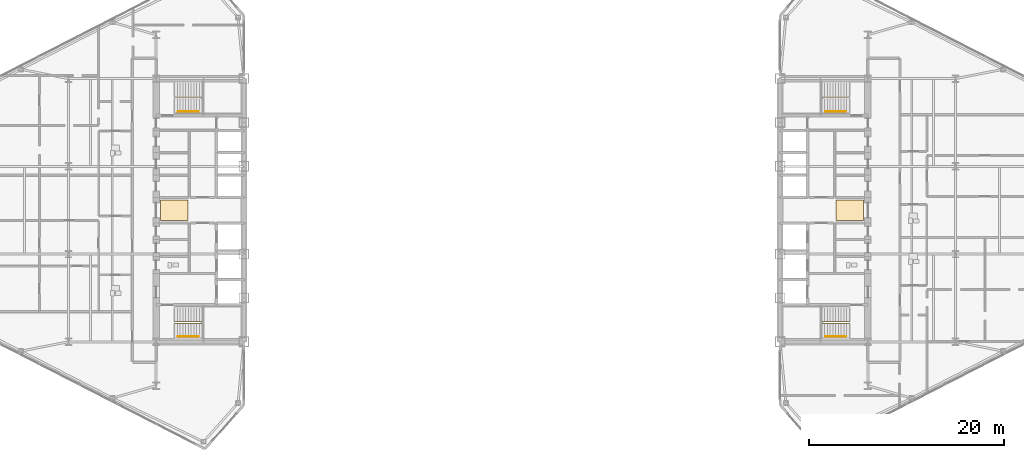
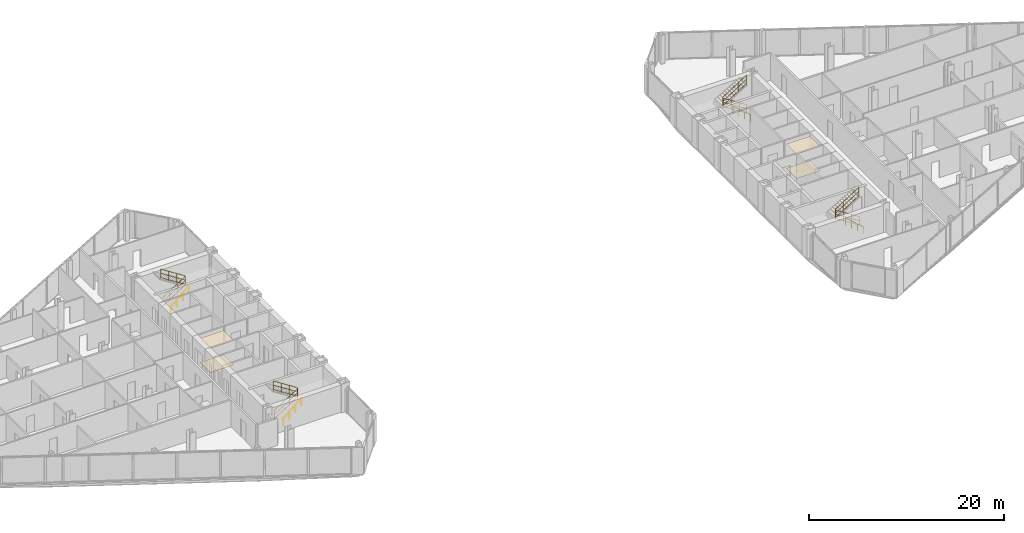
# One storey, part 23 of 24: 8 railings, 4 coverings.
"""IFC4 building model written with IfcOpenShell, lengths in metres."""

from ifc_helpers import new_model, si_unit, direction, frame, origin, origin_2d, place, context, subcontext, project, spatial, polyline, circle, outline, extrude, material, layer, layer_set, type_object, element, save


model = new_model("IFC4")

# Units and contexts
model_context = context("Model", 3, precision=1e-05, world=origin(), true_north=direction((0.0, 1.0)))
body_context = subcontext(model_context, "Body", "Model", "MODEL_VIEW")
ifc_project = project(units=[si_unit("LENGTHUNIT", "METRE"), si_unit("AREAUNIT", "SQUARE_METRE"), si_unit("VOLUMEUNIT", "CUBIC_METRE"), si_unit("PLANEANGLEUNIT", "RADIAN"), si_unit("MASSUNIT", "GRAM", prefix="KILO")], contexts=[model_context])

# Site, building, storey
site_placement = place(None, origin())
site = spatial("IfcSite", under=ifc_project, at=site_placement, CompositionType="ELEMENT")
building_placement = place(site_placement, origin())
building = spatial("IfcBuilding", under=site, at=building_placement, Name="Seokmaru Belvedere", CompositionType="ELEMENT")
storey_placement = place(building_placement, frame((0.0, 0.0, 121.199951171875)))
storey = spatial("IfcBuildingStorey", under=building, at=storey_placement, Name="L32", CompositionType="ELEMENT", Elevation=121.199951171875)

# Coverings
ifc_material_1 = material(Name="Engineered White Oak Timber", Category="wood")
ifc_layer_1 = layer(ifc_material_1, 0.02197265625)
ifc_layer_set_1 = layer_set([ifc_layer_1], Name="Engineered White Oak Timber")
covering_type_1 = type_object("IfcCoveringType", Name="Engineered Oak Residence Floor Finish 22", PredefinedType="FLOORING", material=ifc_layer_set_1)
covering_1_placement = place(storey_placement, origin())
element("IfcCovering", 1, at=covering_1_placement, inside=storey, type_object=covering_type_1, Name="L32 W Foyer Floor Finish", PredefinedType="FLOORING", context=body_context, shape_type="SweptSolid", body=[
    extrude(outline(polyline([(-36.050048828125, -1.050048828125), (-33.25, -1.050048828125), (-33.25, 1.050048828125), (-36.050048828125, 1.050048828125), (-36.050048828125, -1.050048828125)])), origin(), (0.0, 0.0, 1.0), 0.02197265625),
])
covering_2_placement = place(storey_placement, origin())
element("IfcCovering", 2, at=covering_2_placement, inside=storey, type_object=covering_type_1, Name="L32 E Foyer Floor Finish", PredefinedType="FLOORING", context=body_context, shape_type="SweptSolid", body=[
    extrude(outline(polyline([(33.25, -1.050048828125), (36.050048828125, -1.050048828125), (36.050048828125, 1.050048828125), (33.25, 1.050048828125), (33.25, -1.050048828125)])), origin(), (0.0, 0.0, 1.0), 0.02197265625),
])
ifc_material_2 = material(Name="Fire-Rated Gypsum Shaftwall")
ifc_layer_2 = layer(ifc_material_2, 0.02490234375)
ifc_layer_set_2 = layer_set([ifc_layer_2], Name="Fire-Rated Gypsum Shaftwall")
covering_type_2 = type_object("IfcCoveringType", Name="Perforated Acoustic Gypsum Suspended Ceiling 25", PredefinedType="CEILING", material=ifc_layer_set_2)
covering_3_placement = place(storey_placement, frame((0.0, 0.0, 3.030029296875)))
element("IfcCovering", 3, at=covering_3_placement, inside=storey, type_object=covering_type_2, Name="L32 W Lift Foyer Acoustic Ceiling", PredefinedType="CEILING", context=body_context, shape_type="SweptSolid", body=[
    extrude(outline(polyline([(-36.050048828125, -1.050048828125), (-33.25, -1.050048828125), (-33.25, 1.050048828125), (-36.050048828125, 1.050048828125), (-36.050048828125, -1.050048828125)])), origin(), (0.0, 0.0, 1.0), 0.02490234375),
])
covering_4_placement = place(storey_placement, frame((0.0, 0.0, 3.030029296875)))
element("IfcCovering", 4, at=covering_4_placement, inside=storey, type_object=covering_type_2, Name="L32 E Lift Foyer Acoustic Ceiling", PredefinedType="CEILING", context=body_context, shape_type="SweptSolid", body=[
    extrude(outline(polyline([(33.25, -1.050048828125), (36.050048828125, -1.050048828125), (36.050048828125, 1.050048828125), (33.25, 1.050048828125), (33.25, -1.050048828125)])), origin(), (0.0, 0.0, 1.0), 0.02490234375),
])

# Railings
ifc_material_3 = material(Name="Stainless Steel 316", Category="steel")
railing_type_1 = type_object("IfcRailingType", Name="Stainless Steel Wall and Flight Handrail 900", PredefinedType="HANDRAIL", material=ifc_material_3)
for number, where, name in (
    (5, (-34.25, -12.949951171875, 0.0), "L32 Stair ST-W1 Wall Handrail"),
    (6, (-34.25, 10.110107421875, 0.0), "L32 Stair ST-W2 Wall Handrail"),
):
    element("IfcRailing", number, at=place(storey_placement, frame(where)), inside=storey, type_object=railing_type_1, Name=name, PredefinedType="HANDRAIL", context=body_context, shape_type="SweptSolid", body=[
        extrude(circle(Radius=0.02392578125, at=origin_2d()), frame((0.0, 0.0, 0.8759765625), z_axis=(0.759262832861, 0.0, 0.650784104474), x_axis=(0.0, 1.0, 0.0)), (0.0, 0.0, 1.0), 2.765869140625),
        extrude(circle(Radius=0.02099609375, at=origin_2d()), origin(), (0.0, 0.0, 1.0), 0.851806640625),
        extrude(circle(Radius=0.02099609375, at=origin_2d()), frame((0.699951171875, 0.0, 0.60009765625)), (0.0, 0.0, 1.0), 0.851806640625),
        extrude(circle(Radius=0.02099609375, at=origin_2d()), frame((1.400146484375, 0.0, 1.199951171875)), (0.0, 0.0, 1.0), 0.851806640625),
        extrude(circle(Radius=0.02099609375, at=origin_2d()), frame((2.10009765625, 0.0, 1.800048828125)), (0.0, 0.0, 1.0), 0.851806640625),
    ])
for number, where, name in (
    (7, (34.25, -12.949951171875, 0.0), "L32 Stair ST-E1 Wall Handrail"),
    (8, (34.25, 10.110107421875, 0.0), "L32 Stair ST-E2 Wall Handrail"),
):
    element("IfcRailing", number, at=place(storey_placement, frame(where)), inside=storey, type_object=railing_type_1, Name=name, PredefinedType="HANDRAIL", context=body_context, shape_type="SweptSolid", body=[
        extrude(circle(Radius=0.02392578125, at=origin_2d()), frame((0.0, 0.0, 0.8759765625), z_axis=(-0.759262832861, 0.0, 0.650784104474), x_axis=(0.0, -1.0, 0.0)), (0.0, 0.0, 1.0), 2.765869140625),
        extrude(circle(Radius=0.02099609375, at=origin_2d()), origin(), (0.0, 0.0, 1.0), 0.851806640625),
        extrude(circle(Radius=0.02099609375, at=origin_2d()), frame((-0.699951171875, 0.0, 0.60009765625)), (0.0, 0.0, 1.0), 0.851806640625),
        extrude(circle(Radius=0.02099609375, at=origin_2d()), frame((-1.400146484375, 0.0, 1.199951171875)), (0.0, 0.0, 1.0), 0.851806640625),
        extrude(circle(Radius=0.02099609375, at=origin_2d()), frame((-2.10009765625, 0.0, 1.800048828125)), (0.0, 0.0, 1.0), 0.851806640625),
    ])
railing_type_2 = type_object("IfcRailingType", Name="Stair Well and Atrium Steel Guardrail 1200", PredefinedType="GUARDRAIL", material=ifc_material_3)
railing_1_placement = place(storey_placement, frame((-34.60009765625, -11.60009765625, 0.0)))
element("IfcRailing", 9, at=railing_1_placement, inside=storey, type_object=railing_type_2, Name="L32 Stair ST-W1 Inner Well Guardrail", PredefinedType="GUARDRAIL", context=body_context, shape_type="SweptSolid", body=[
    extrude(circle(Radius=0.02392578125, at=origin_2d()), frame((0.0, 0.0, 1.17578125), z_axis=(0.841176092368, 0.0, 0.540761298198), x_axis=(0.0, 1.0, 0.0)), (0.0, 0.0, 1.0), 3.32861328125),
    extrude(circle(Radius=0.02392578125, at=origin_2d()), frame((0.0, 0.0, 0.1201171875), z_axis=(0.841176092368, 0.0, 0.540761298198), x_axis=(0.0, 1.0, 0.0)), (0.0, 0.0, 1.0), 3.32861328125),
    extrude(circle(Radius=0.02392578125, at=origin_2d()), frame((0.0, 0.0, 0.659912109375), z_axis=(0.841176092368, 0.0, 0.540761298198), x_axis=(0.0, 1.0, 0.0)), (0.0, 0.0, 1.0), 3.32861328125),
    extrude(circle(Radius=0.02392578125, at=origin_2d()), frame((2.800048828125, 0.0, 2.97607421875), z_axis=(0.0, 1.0, 0.0), x_axis=(-1.0, 0.0, 0.0)), (0.0, 0.0, 1.0), 0.14013671875),
    extrude(circle(Radius=0.02392578125, at=origin_2d()), frame((2.800048828125, 0.0, 1.920166015625), z_axis=(0.0, 1.0, 0.0), x_axis=(-1.0, 0.0, 0.0)), (0.0, 0.0, 1.0), 0.14013671875),
    extrude(circle(Radius=0.02392578125, at=origin_2d()), frame((2.800048828125, 0.0, 2.4599609375), z_axis=(0.0, 1.0, 0.0), x_axis=(-1.0, 0.0, 0.0)), (0.0, 0.0, 1.0), 0.14013671875),
    extrude(circle(Radius=0.02392578125, at=origin_2d()), frame((2.800048828125, 0.14013671875, 2.97607421875), z_axis=(-0.841176092368, 0.0, 0.540761298198), x_axis=(0.0, -1.0, 0.0)), (0.0, 0.0, 1.0), 3.32861328125),
    extrude(circle(Radius=0.02392578125, at=origin_2d()), frame((2.800048828125, 0.14013671875, 1.920166015625), z_axis=(-0.841176092368, 0.0, 0.540761298198), x_axis=(0.0, -1.0, 0.0)), (0.0, 0.0, 1.0), 3.32861328125),
    extrude(circle(Radius=0.02392578125, at=origin_2d()), frame((2.800048828125, 0.14013671875, 2.4599609375), z_axis=(-0.841176092368, 0.0, 0.540761298198), x_axis=(0.0, -1.0, 0.0)), (0.0, 0.0, 1.0), 3.32861328125),
    extrude(circle(Radius=0.02099609375, at=origin_2d()), origin(), (0.0, 0.0, 1.0), 1.15185546875),
    extrude(circle(Radius=0.02099609375, at=origin_2d()), frame((0.933349609375, 0.0, 0.60009765625)), (0.0, 0.0, 1.0), 1.15185546875),
    extrude(circle(Radius=0.02099609375, at=origin_2d()), frame((1.86669921875, 0.0, 1.199951171875)), (0.0, 0.0, 1.0), 1.15185546875),
    extrude(circle(Radius=0.02099609375, at=origin_2d()), frame((2.800048828125, 0.0, 1.800048828125)), (0.0, 0.0, 1.0), 1.15185546875),
    extrude(circle(Radius=0.02099609375, at=origin_2d()), frame((2.800048828125, 0.14013671875, 1.800048828125)), (0.0, 0.0, 1.0), 1.15185546875),
    extrude(circle(Radius=0.02099609375, at=origin_2d()), frame((1.86669921875, 0.14013671875, 2.400146484375)), (0.0, 0.0, 1.0), 1.15185546875),
    extrude(circle(Radius=0.02099609375, at=origin_2d()), frame((0.933349609375, 0.14013671875, 3.0)), (0.0, 0.0, 1.0), 1.15185546875),
    extrude(circle(Radius=0.02099609375, at=origin_2d()), frame((0.0, 0.14013671875, 3.60009765625)), (0.0, 0.0, 1.0), 1.15185546875),
])
railing_2_placement = place(storey_placement, frame((-34.60009765625, 11.4599609375, 0.0)))
element("IfcRailing", 10, at=railing_2_placement, inside=storey, type_object=railing_type_2, Name="L32 Stair ST-W2 Inner Well Guardrail", PredefinedType="GUARDRAIL", context=body_context, shape_type="SweptSolid", body=[
    extrude(circle(Radius=0.02392578125, at=origin_2d()), frame((0.0, 0.0, 1.17578125), z_axis=(0.841176092368, 0.0, 0.540761298198), x_axis=(0.0, 1.0, 0.0)), (0.0, 0.0, 1.0), 3.32861328125),
    extrude(circle(Radius=0.02392578125, at=origin_2d()), frame((0.0, 0.0, 0.1201171875), z_axis=(0.841176092368, 0.0, 0.540761298198), x_axis=(0.0, 1.0, 0.0)), (0.0, 0.0, 1.0), 3.32861328125),
    extrude(circle(Radius=0.02392578125, at=origin_2d()), frame((0.0, 0.0, 0.659912109375), z_axis=(0.841176092368, 0.0, 0.540761298198), x_axis=(0.0, 1.0, 0.0)), (0.0, 0.0, 1.0), 3.32861328125),
    extrude(circle(Radius=0.02392578125, at=origin_2d()), frame((2.800048828125, 0.0, 2.97607421875), z_axis=(0.0, 1.0, 0.0), x_axis=(-1.0, 0.0, 0.0)), (0.0, 0.0, 1.0), 0.14013671875),
    extrude(circle(Radius=0.02392578125, at=origin_2d()), frame((2.800048828125, 0.0, 1.920166015625), z_axis=(0.0, 1.0, 0.0), x_axis=(-1.0, 0.0, 0.0)), (0.0, 0.0, 1.0), 0.14013671875),
    extrude(circle(Radius=0.02392578125, at=origin_2d()), frame((2.800048828125, 0.0, 2.4599609375), z_axis=(0.0, 1.0, 0.0), x_axis=(-1.0, 0.0, 0.0)), (0.0, 0.0, 1.0), 0.14013671875),
    extrude(circle(Radius=0.02392578125, at=origin_2d()), frame((2.800048828125, 0.14013671875, 2.97607421875), z_axis=(-0.841176092368, 0.0, 0.540761298198), x_axis=(0.0, -1.0, 0.0)), (0.0, 0.0, 1.0), 3.32861328125),
    extrude(circle(Radius=0.02392578125, at=origin_2d()), frame((2.800048828125, 0.14013671875, 1.920166015625), z_axis=(-0.841176092368, 0.0, 0.540761298198), x_axis=(0.0, -1.0, 0.0)), (0.0, 0.0, 1.0), 3.32861328125),
    extrude(circle(Radius=0.02392578125, at=origin_2d()), frame((2.800048828125, 0.14013671875, 2.4599609375), z_axis=(-0.841176092368, 0.0, 0.540761298198), x_axis=(0.0, -1.0, 0.0)), (0.0, 0.0, 1.0), 3.32861328125),
    extrude(circle(Radius=0.02099609375, at=origin_2d()), origin(), (0.0, 0.0, 1.0), 1.15185546875),
    extrude(circle(Radius=0.02099609375, at=origin_2d()), frame((0.933349609375, 0.0, 0.60009765625)), (0.0, 0.0, 1.0), 1.15185546875),
    extrude(circle(Radius=0.02099609375, at=origin_2d()), frame((1.86669921875, 0.0, 1.199951171875)), (0.0, 0.0, 1.0), 1.15185546875),
    extrude(circle(Radius=0.02099609375, at=origin_2d()), frame((2.800048828125, 0.0, 1.800048828125)), (0.0, 0.0, 1.0), 1.15185546875),
    extrude(circle(Radius=0.02099609375, at=origin_2d()), frame((2.800048828125, 0.14013671875, 1.800048828125)), (0.0, 0.0, 1.0), 1.15185546875),
    extrude(circle(Radius=0.02099609375, at=origin_2d()), frame((1.86669921875, 0.14013671875, 2.400146484375)), (0.0, 0.0, 1.0), 1.15185546875),
    extrude(circle(Radius=0.02099609375, at=origin_2d()), frame((0.933349609375, 0.14013671875, 3.0)), (0.0, 0.0, 1.0), 1.15185546875),
    extrude(circle(Radius=0.02099609375, at=origin_2d()), frame((0.0, 0.14013671875, 3.60009765625)), (0.0, 0.0, 1.0), 1.15185546875),
])
railing_3_placement = place(storey_placement, frame((34.60009765625, -11.60009765625, 0.0)))
element("IfcRailing", 11, at=railing_3_placement, inside=storey, type_object=railing_type_2, Name="L32 Stair ST-E1 Inner Well Guardrail", PredefinedType="GUARDRAIL", context=body_context, shape_type="SweptSolid", body=[
    extrude(circle(Radius=0.02392578125, at=origin_2d()), frame((0.0, 0.0, 1.17578125), z_axis=(-0.841176092368, 0.0, 0.540761298198), x_axis=(0.0, -1.0, 0.0)), (0.0, 0.0, 1.0), 3.32861328125),
    extrude(circle(Radius=0.02392578125, at=origin_2d()), frame((0.0, 0.0, 0.1201171875), z_axis=(-0.841176092368, 0.0, 0.540761298198), x_axis=(0.0, -1.0, 0.0)), (0.0, 0.0, 1.0), 3.32861328125),
    extrude(circle(Radius=0.02392578125, at=origin_2d()), frame((0.0, 0.0, 0.659912109375), z_axis=(-0.841176092368, 0.0, 0.540761298198), x_axis=(0.0, -1.0, 0.0)), (0.0, 0.0, 1.0), 3.32861328125),
    extrude(circle(Radius=0.02392578125, at=origin_2d()), frame((-2.800048828125, 0.0, 2.97607421875), z_axis=(0.0, 1.0, 0.0), x_axis=(-1.0, 0.0, 0.0)), (0.0, 0.0, 1.0), 0.14013671875),
    extrude(circle(Radius=0.02392578125, at=origin_2d()), frame((-2.800048828125, 0.0, 1.920166015625), z_axis=(0.0, 1.0, 0.0), x_axis=(-1.0, 0.0, 0.0)), (0.0, 0.0, 1.0), 0.14013671875),
    extrude(circle(Radius=0.02392578125, at=origin_2d()), frame((-2.800048828125, 0.0, 2.4599609375), z_axis=(0.0, 1.0, 0.0), x_axis=(-1.0, 0.0, 0.0)), (0.0, 0.0, 1.0), 0.14013671875),
    extrude(circle(Radius=0.02392578125, at=origin_2d()), frame((-2.800048828125, 0.14013671875, 2.97607421875), z_axis=(0.841176092368, 0.0, 0.540761298198), x_axis=(0.0, 1.0, 0.0)), (0.0, 0.0, 1.0), 3.32861328125),
    extrude(circle(Radius=0.02392578125, at=origin_2d()), frame((-2.800048828125, 0.14013671875, 1.920166015625), z_axis=(0.841176092368, 0.0, 0.540761298198), x_axis=(0.0, 1.0, 0.0)), (0.0, 0.0, 1.0), 3.32861328125),
    extrude(circle(Radius=0.02392578125, at=origin_2d()), frame((-2.800048828125, 0.14013671875, 2.4599609375), z_axis=(0.841176092368, 0.0, 0.540761298198), x_axis=(0.0, 1.0, 0.0)), (0.0, 0.0, 1.0), 3.32861328125),
    extrude(circle(Radius=0.02099609375, at=origin_2d()), origin(), (0.0, 0.0, 1.0), 1.15185546875),
    extrude(circle(Radius=0.02099609375, at=origin_2d()), frame((-0.933349609375, 0.0, 0.60009765625)), (0.0, 0.0, 1.0), 1.15185546875),
    extrude(circle(Radius=0.02099609375, at=origin_2d()), frame((-1.86669921875, 0.0, 1.199951171875)), (0.0, 0.0, 1.0), 1.15185546875),
    extrude(circle(Radius=0.02099609375, at=origin_2d()), frame((-2.800048828125, 0.0, 1.800048828125)), (0.0, 0.0, 1.0), 1.15185546875),
    extrude(circle(Radius=0.02099609375, at=origin_2d()), frame((-2.800048828125, 0.14013671875, 1.800048828125)), (0.0, 0.0, 1.0), 1.15185546875),
    extrude(circle(Radius=0.02099609375, at=origin_2d()), frame((-1.86669921875, 0.14013671875, 2.400146484375)), (0.0, 0.0, 1.0), 1.15185546875),
    extrude(circle(Radius=0.02099609375, at=origin_2d()), frame((-0.933349609375, 0.14013671875, 3.0)), (0.0, 0.0, 1.0), 1.15185546875),
    extrude(circle(Radius=0.02099609375, at=origin_2d()), frame((0.0, 0.14013671875, 3.60009765625)), (0.0, 0.0, 1.0), 1.15185546875),
])
railing_4_placement = place(storey_placement, frame((34.60009765625, 11.4599609375, 0.0)))
element("IfcRailing", 12, at=railing_4_placement, inside=storey, type_object=railing_type_2, Name="L32 Stair ST-E2 Inner Well Guardrail", PredefinedType="GUARDRAIL", context=body_context, shape_type="SweptSolid", body=[
    extrude(circle(Radius=0.02392578125, at=origin_2d()), frame((0.0, 0.0, 1.17578125), z_axis=(-0.841176092368, 0.0, 0.540761298198), x_axis=(0.0, -1.0, 0.0)), (0.0, 0.0, 1.0), 3.32861328125),
    extrude(circle(Radius=0.02392578125, at=origin_2d()), frame((0.0, 0.0, 0.1201171875), z_axis=(-0.841176092368, 0.0, 0.540761298198), x_axis=(0.0, -1.0, 0.0)), (0.0, 0.0, 1.0), 3.32861328125),
    extrude(circle(Radius=0.02392578125, at=origin_2d()), frame((0.0, 0.0, 0.659912109375), z_axis=(-0.841176092368, 0.0, 0.540761298198), x_axis=(0.0, -1.0, 0.0)), (0.0, 0.0, 1.0), 3.32861328125),
    extrude(circle(Radius=0.02392578125, at=origin_2d()), frame((-2.800048828125, 0.0, 2.97607421875), z_axis=(0.0, 1.0, 0.0), x_axis=(-1.0, 0.0, 0.0)), (0.0, 0.0, 1.0), 0.14013671875),
    extrude(circle(Radius=0.02392578125, at=origin_2d()), frame((-2.800048828125, 0.0, 1.920166015625), z_axis=(0.0, 1.0, 0.0), x_axis=(-1.0, 0.0, 0.0)), (0.0, 0.0, 1.0), 0.14013671875),
    extrude(circle(Radius=0.02392578125, at=origin_2d()), frame((-2.800048828125, 0.0, 2.4599609375), z_axis=(0.0, 1.0, 0.0), x_axis=(-1.0, 0.0, 0.0)), (0.0, 0.0, 1.0), 0.14013671875),
    extrude(circle(Radius=0.02392578125, at=origin_2d()), frame((-2.800048828125, 0.14013671875, 2.97607421875), z_axis=(0.841176092368, 0.0, 0.540761298198), x_axis=(0.0, 1.0, 0.0)), (0.0, 0.0, 1.0), 3.32861328125),
    extrude(circle(Radius=0.02392578125, at=origin_2d()), frame((-2.800048828125, 0.14013671875, 1.920166015625), z_axis=(0.841176092368, 0.0, 0.540761298198), x_axis=(0.0, 1.0, 0.0)), (0.0, 0.0, 1.0), 3.32861328125),
    extrude(circle(Radius=0.02392578125, at=origin_2d()), frame((-2.800048828125, 0.14013671875, 2.4599609375), z_axis=(0.841176092368, 0.0, 0.540761298198), x_axis=(0.0, 1.0, 0.0)), (0.0, 0.0, 1.0), 3.32861328125),
    extrude(circle(Radius=0.02099609375, at=origin_2d()), origin(), (0.0, 0.0, 1.0), 1.15185546875),
    extrude(circle(Radius=0.02099609375, at=origin_2d()), frame((-0.933349609375, 0.0, 0.60009765625)), (0.0, 0.0, 1.0), 1.15185546875),
    extrude(circle(Radius=0.02099609375, at=origin_2d()), frame((-1.86669921875, 0.0, 1.199951171875)), (0.0, 0.0, 1.0), 1.15185546875),
    extrude(circle(Radius=0.02099609375, at=origin_2d()), frame((-2.800048828125, 0.0, 1.800048828125)), (0.0, 0.0, 1.0), 1.15185546875),
    extrude(circle(Radius=0.02099609375, at=origin_2d()), frame((-2.800048828125, 0.14013671875, 1.800048828125)), (0.0, 0.0, 1.0), 1.15185546875),
    extrude(circle(Radius=0.02099609375, at=origin_2d()), frame((-1.86669921875, 0.14013671875, 2.400146484375)), (0.0, 0.0, 1.0), 1.15185546875),
    extrude(circle(Radius=0.02099609375, at=origin_2d()), frame((-0.933349609375, 0.14013671875, 3.0)), (0.0, 0.0, 1.0), 1.15185546875),
    extrude(circle(Radius=0.02099609375, at=origin_2d()), frame((0.0, 0.14013671875, 3.60009765625)), (0.0, 0.0, 1.0), 1.15185546875),
])

save(model, "model.ifc")
